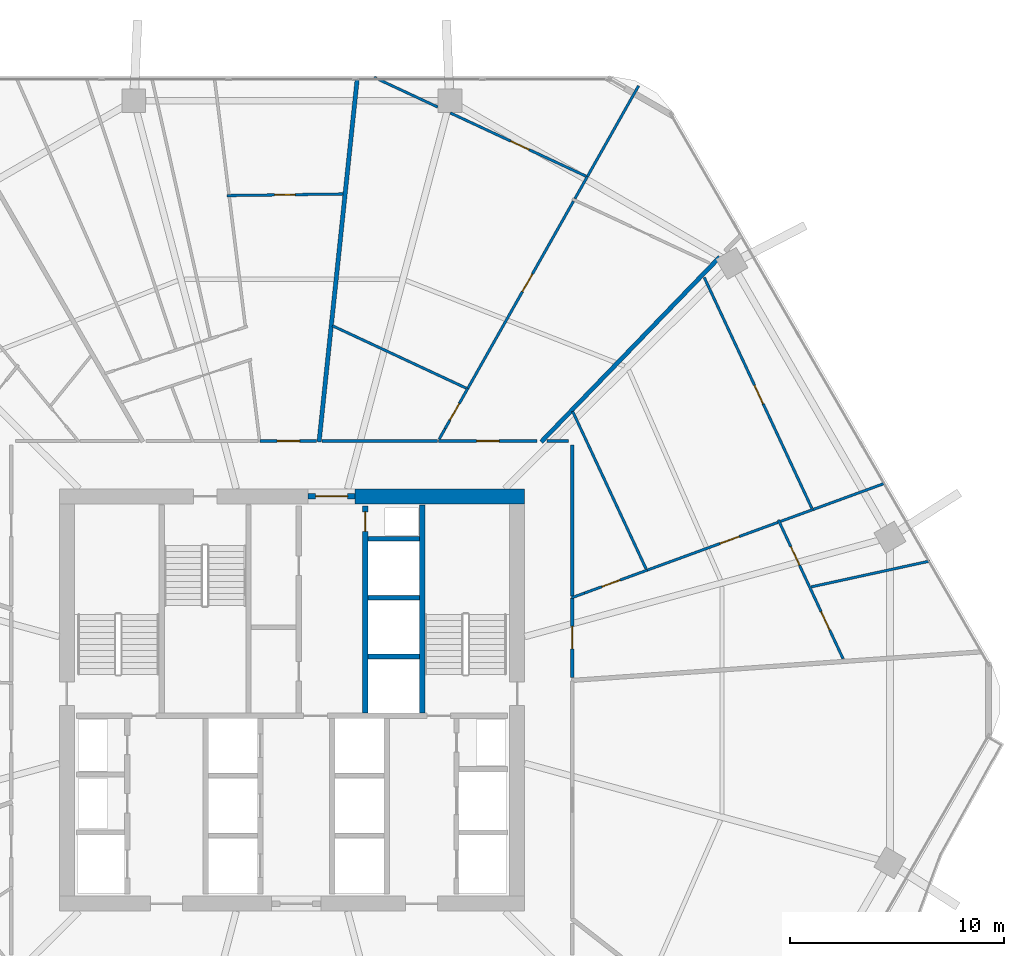
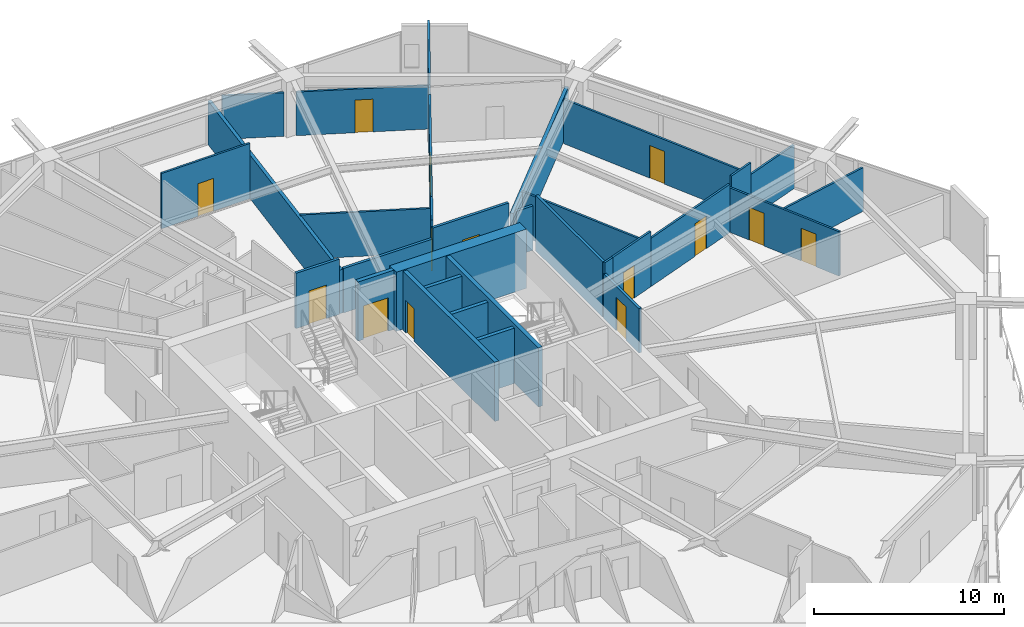
# One storey, part 28 of 33: 33 walls, 14 doors, 14 openings.
"""IFC4 building model written with IfcOpenShell, lengths in metres."""

from ifc_helpers import new_model, si_unit, direction, frame, frame_2d, origin, place, context, subcontext, project, spatial, rectangle, extrude, material, layer, layer_set, type_object, element, fill, save


model = new_model("IFC4")

# Units and contexts
model_context = context("Model", 3, precision=1e-05, world=origin(), true_north=direction((0.0, 1.0)))
body_context = subcontext(model_context, "Body", "Model", "MODEL_VIEW")
ifc_project = project(units=[si_unit("LENGTHUNIT", "METRE"), si_unit("AREAUNIT", "SQUARE_METRE"), si_unit("VOLUMEUNIT", "CUBIC_METRE"), si_unit("PLANEANGLEUNIT", "RADIAN"), si_unit("MASSUNIT", "GRAM", prefix="KILO")], contexts=[model_context])

# Site, building, storey
site_placement = place(None, origin())
site = spatial("IfcSite", under=ifc_project, at=site_placement, CompositionType="ELEMENT")
building_placement = place(site_placement, origin())
building = spatial("IfcBuilding", under=site, at=building_placement, Name="Zuhravey Tower", CompositionType="ELEMENT")
storey_placement = place(building_placement, frame((0.0, 0.0, 96.199951171875)))
storey = spatial("IfcBuildingStorey", under=building, at=storey_placement, Name="L23", CompositionType="ELEMENT", Elevation=96.199951171875)

# Wall
ifc_material_1 = material(Name="Concrete C60/75", Category="concrete")
ifc_layer_1 = layer(ifc_material_1, 0.699951171875)
ifc_layer_set_1 = layer_set([ifc_layer_1], Name="Concrete C60/75")
wall_type_1 = type_object("IfcWallType", Name="Core Shear Wall 700", PredefinedType="SHEAR", material=ifc_layer_set_1)
wall_1_placement = place(storey_placement, frame((46.85009765625, 41.5, 0.0), z_axis=(0.0, 0.0, 1.0), x_axis=(-1.0, 0.0, 0.0)))
element("IfcWall", 1, at=wall_1_placement, inside=storey, type_object=wall_type_1, Name="L23 North-East Core Shear Wall CW70", PredefinedType="SHEAR", context=body_context, shape_type="SweptSolid", body=[
    extrude(rectangle(XDim=7.900146484375, YDim=0.699951171875, at=frame_2d((3.9501953125, 0.0))), origin(), (0.0, 0.0, 1.0), 3.800048828125),
])

# Wall, opening, door
ifc_material_2 = material(Name="Gypsum fire-rated stud partition")
ifc_layer_2 = layer(ifc_material_2, 0.159912109375)
ifc_layer_set_2 = layer_set([ifc_layer_2], Name="Gypsum fire-rated stud partition")
wall_type_2 = type_object("IfcWallType", Name="Corridor Fire Partition 160", PredefinedType="PARTITIONING", material=ifc_layer_set_2)
wall_2_placement = place(storey_placement, frame((49.080078125, 33.049560546875, 0.0), z_axis=(0.0, 0.0, 1.0), x_axis=(0.0, 1.0, 0.0)))
wall_2 = element("IfcWall", 2, at=wall_2_placement, inside=storey, type_object=wall_type_2, Name="L23 IW16 Partition 024", PredefinedType="PARTITIONING", context=body_context, shape_type="SweptSolid", body=[
    extrude(rectangle(XDim=3.71044921875, YDim=0.159912109375, at=frame_2d((1.855224609375, 0.0))), origin(), (0.0, 0.0, 1.0), 2.85009765625),
])
opening_1_placement = place(wall_2_placement, frame((1.330322265625, 0.0, 0.0)))
opening_1 = element("IfcOpeningElement", 3, at=opening_1_placement, cuts=wall_2, Name="Opening APD1", PredefinedType="OPENING", context=body_context, shape_type="SweptSolid", body=[
    extrude(rectangle(XDim=1.050048828125, YDim=2.14990234375, at=frame_2d((0.52490234375, 1.074951171875))), frame((0.0, 0.092041015625, 0.0), z_axis=(0.0, -1.0, 0.0), x_axis=(1.0, 0.0, 0.0)), (0.0, 0.0, 1.0), 0.183837890625),
])
ifc_material_3 = material(Name="Solid-core oak fire-rated leaf")
door_type_1 = type_object("IfcDoorType", Name="Apartment Entrance Fire Door 1050x2150", OperationType="NOTDEFINED", PredefinedType="DOOR", material=ifc_material_3)
door_1_placement = place(opening_1_placement, frame((1.050048828125, 0.0, 0.0), z_axis=(0.0, 0.0, 1.0), x_axis=(-1.0, 0.0, 0.0)))
door_1 = element("IfcDoor", 4, at=door_1_placement, inside=storey, type_object=door_type_1, Name="L23 Door 024.1", OperationType="SINGLE_SWING_LEFT", OverallHeight=2.14990234375, OverallWidth=1.050048828125, PredefinedType="DOOR", context=body_context, shape_type="SweptSolid", body=[
    extrude(rectangle(XDim=1.050048828125, YDim=2.14990234375, at=frame_2d((0.52490234375, 1.074951171875))), frame((0.0, 0.02490234375, 0.0), z_axis=(0.0, -1.0, 0.0), x_axis=(1.0, 0.0, 0.0)), (0.0, 0.0, 1.0), 0.050048828125),
])
fill(opening_1, door_1)

wall_3_placement = place(storey_placement, frame((47.435791015625, 44.080078125, 0.0), z_axis=(0.0, 0.0, 1.0), x_axis=(-1.0, 0.0, 0.0)))
wall_3 = element("IfcWall", 5, at=wall_3_placement, inside=storey, type_object=wall_type_2, Name="L23 IW16 Partition 030", PredefinedType="PARTITIONING", context=body_context, shape_type="SweptSolid", body=[
    extrude(rectangle(XDim=4.594970703125, YDim=0.159912109375, at=frame_2d((2.29736328125, 0.0))), origin(), (0.0, 0.0, 1.0), 3.550048828125),
])
opening_2_placement = place(wall_3_placement, frame((1.7724609375, 0.0, 0.0)))
opening_2 = element("IfcOpeningElement", 6, at=opening_2_placement, cuts=wall_3, Name="Opening APD1", PredefinedType="OPENING", context=body_context, shape_type="SweptSolid", body=[
    extrude(rectangle(XDim=1.050048828125, YDim=2.14990234375, at=frame_2d((0.52490234375, 1.074951171875))), frame((0.0, 0.092041015625, 0.0), z_axis=(0.0, -1.0, 0.0), x_axis=(1.0, 0.0, 0.0)), (0.0, 0.0, 1.0), 0.183837890625),
])
door_2_placement = place(opening_2_placement, frame((1.050048828125, 0.0, 0.0), z_axis=(0.0, 0.0, 1.0), x_axis=(-1.0, 0.0, 0.0)))
door_2 = element("IfcDoor", 7, at=door_2_placement, inside=storey, type_object=door_type_1, Name="L23 Door 030.1", OperationType="SINGLE_SWING_RIGHT", OverallHeight=2.14990234375, OverallWidth=1.050048828125, PredefinedType="DOOR", context=body_context, shape_type="SweptSolid", body=[
    extrude(rectangle(XDim=1.050048828125, YDim=2.14990234375, at=frame_2d((0.52490234375, 1.074951171875))), frame((0.0, 0.02490234375, 0.0), z_axis=(0.0, -1.0, 0.0), x_axis=(1.0, 0.0, 0.0)), (0.0, 0.0, 1.0), 0.050048828125),
])
fill(opening_2, door_2)

wall_4_placement = place(storey_placement, frame((37.14306640625, 44.080078125, 0.0), z_axis=(0.0, 0.0, 1.0), x_axis=(-1.0, 0.0, 0.0)))
wall_4 = element("IfcWall", 8, at=wall_4_placement, inside=storey, type_object=wall_type_2, Name="L23 IW16 Partition 034", PredefinedType="PARTITIONING", context=body_context, shape_type="SweptSolid", body=[
    extrude(rectangle(XDim=2.627685546875, YDim=0.159912109375, at=frame_2d((1.31396484375, 0.0))), origin(), (0.0, 0.0, 1.0), 3.550048828125),
])
opening_3_placement = place(wall_4_placement, frame((0.788818359375, 0.0, 0.0)))
opening_3 = element("IfcOpeningElement", 9, at=opening_3_placement, cuts=wall_4, Name="Opening APD1", PredefinedType="OPENING", context=body_context, shape_type="SweptSolid", body=[
    extrude(rectangle(XDim=1.050048828125, YDim=2.14990234375, at=frame_2d((0.52490234375, 1.074951171875))), frame((0.0, 0.092041015625, 0.0), z_axis=(0.0, -1.0, 0.0), x_axis=(1.0, 0.0, 0.0)), (0.0, 0.0, 1.0), 0.183837890625),
])
door_3_placement = place(opening_3_placement, frame((1.050048828125, 0.0, 0.0), z_axis=(0.0, 0.0, 1.0), x_axis=(-1.0, 0.0, 0.0)))
door_3 = element("IfcDoor", 10, at=door_3_placement, inside=storey, type_object=door_type_1, Name="L23 Door 034.1", OperationType="SINGLE_SWING_RIGHT", OverallHeight=2.14990234375, OverallWidth=1.050048828125, PredefinedType="DOOR", context=body_context, shape_type="SweptSolid", body=[
    extrude(rectangle(XDim=1.050048828125, YDim=2.14990234375, at=frame_2d((0.52490234375, 1.074951171875))), frame((0.0, 0.02490234375, 0.0), z_axis=(0.0, -1.0, 0.0), x_axis=(1.0, 0.0, 0.0)), (0.0, 0.0, 1.0), 0.050048828125),
])
fill(opening_3, door_3)

# Walls
wall_5_placement = place(storey_placement, frame((49.080078125, 36.853759765625, 0.0), z_axis=(0.0, 0.0, 1.0), x_axis=(0.0, 1.0, 0.0)))
element("IfcWall", 11, at=wall_5_placement, inside=storey, type_object=wall_type_2, Name="L23 IW16 Partition 119", PredefinedType="PARTITIONING", context=body_context, shape_type="SweptSolid", body=[
    extrude(rectangle(XDim=7.046142578125, YDim=0.159912109375, at=frame_2d((3.52294921875, 0.0))), origin(), (0.0, 0.0, 1.0), 3.550048828125),
])
wall_6_placement = place(storey_placement, frame((48.89990234375, 44.080078125, 0.0), z_axis=(0.0, 0.0, 1.0), x_axis=(-1.0, 0.0, 0.0)))
element("IfcWall", 12, at=wall_6_placement, inside=storey, type_object=wall_type_2, Name="L23 IW16 Partition 120", PredefinedType="PARTITIONING", context=body_context, shape_type="SweptSolid", body=[
    extrude(rectangle(XDim=1.0009765625, YDim=0.159912109375, at=frame_2d((0.50048828125, 0.0))), origin(), (0.0, 0.0, 1.0), 2.85009765625),
])
wall_7_placement = place(storey_placement, frame((42.794921875, 44.080078125, 0.0), z_axis=(0.0, 0.0, 1.0), x_axis=(-1.0, 0.0, 0.0)))
element("IfcWall", 13, at=wall_7_placement, inside=storey, type_object=wall_type_2, Name="L23 IW16 Partition 121", PredefinedType="PARTITIONING", context=body_context, shape_type="SweptSolid", body=[
    extrude(rectangle(XDim=5.3984375, YDim=0.159912109375, at=frame_2d((2.69921875, 0.0))), origin(), (0.0, 0.0, 1.0), 2.85009765625),
])

# Wall, opening, door
ifc_material_4 = material(Name="Concrete C50/60", Category="concrete")
ifc_layer_3 = layer(ifc_material_4, 0.25)
ifc_layer_set_3 = layer_set([ifc_layer_3], Name="Concrete C50/60")
wall_type_3 = type_object("IfcWallType", Name="Firefighting Shaft & Stair Wall 250", PredefinedType="SOLIDWALL", material=ifc_layer_set_3)
wall_8_placement = place(storey_placement, frame((36.760009765625, 41.5, 0.0), z_axis=(0.0, 0.0, 1.0), x_axis=(1.0, 0.0, 0.0)))
wall_8 = element("IfcWall", 14, at=wall_8_placement, inside=storey, type_object=wall_type_3, Name="L23 FW25 Shaft Wall 002", PredefinedType="SOLIDWALL", context=body_context, shape_type="SweptSolid", body=[
    extrude(rectangle(XDim=2.179931640625, YDim=0.25, at=frame_2d((1.08984375, 0.0))), origin(), (0.0, 0.0, 1.0), 3.800048828125),
])
opening_4_placement = place(wall_8_placement, frame((0.340087890625, 0.0, 0.0)))
opening_4 = element("IfcOpeningElement", 15, at=opening_4_placement, cuts=wall_8, Name="Opening FFD1", PredefinedType="OPENING", context=body_context, shape_type="SweptSolid", body=[
    extrude(rectangle(XDim=1.5, YDim=2.14990234375, at=frame_2d((0.75, 1.074951171875))), frame((0.0, 0.136962890625, 0.0), z_axis=(0.0, -1.0, 0.0), x_axis=(1.0, 0.0, 0.0)), (0.0, 0.0, 1.0), 0.27392578125),
])
ifc_material_5 = material(Name="Galvanised fire-rated steel leaf", Category="steel")
door_type_2 = type_object("IfcDoorType", Name="Firefighting Lobby Double Door 1500x2150", OperationType="DOUBLE_DOOR_SINGLE_SWING", PredefinedType="DOOR", material=ifc_material_5)
door_4_placement = place(opening_4_placement, origin())
door_4 = element("IfcDoor", 16, at=door_4_placement, inside=storey, type_object=door_type_2, Name="L23 North Lift Lobby Exit Door", OperationType="DOUBLE_DOOR_SINGLE_SWING", OverallHeight=2.14990234375, OverallWidth=1.5, PredefinedType="DOOR", context=body_context, shape_type="SweptSolid", body=[
    extrude(rectangle(XDim=1.5, YDim=2.14990234375, at=frame_2d((0.75, 1.074951171875))), frame((0.0, 0.02490234375, 0.0), z_axis=(0.0, -1.0, 0.0), x_axis=(1.0, 0.0, 0.0)), (0.0, 0.0, 1.0), 0.050048828125),
])
fill(opening_4, door_4)

# Wall
wall_9_placement = place(storey_placement, frame((42.074951171875, 31.39990234375, 0.0), z_axis=(0.0, 0.0, 1.0), x_axis=(0.0, 1.0, 0.0)))
element("IfcWall", 17, at=wall_9_placement, inside=storey, type_object=wall_type_3, Name="L23 FW25 Shaft Wall 006", PredefinedType="SOLIDWALL", context=body_context, shape_type="SweptSolid", body=[
    extrude(rectangle(XDim=9.7001953125, YDim=0.25, at=frame_2d((4.85009765625, 0.0))), origin(), (0.0, 0.0, 1.0), 3.800048828125),
])

# Wall, opening, door
wall_10_placement = place(storey_placement, frame((39.425048828125, 31.39990234375, 0.0), z_axis=(0.0, 0.0, 1.0), x_axis=(0.0, 1.0, 0.0)))
wall_10 = element("IfcWall", 18, at=wall_10_placement, inside=storey, type_object=wall_type_3, Name="L23 FW25 Shaft Wall 008", PredefinedType="SOLIDWALL", context=body_context, shape_type="SweptSolid", body=[
    extrude(rectangle(XDim=9.650146484375, YDim=0.25, at=frame_2d((4.8251953125, 0.0))), origin(), (0.0, 0.0, 1.0), 3.800048828125),
])
opening_5_placement = place(wall_10_placement, frame((8.469970703125, 0.0, 0.0)))
opening_5 = element("IfcOpeningElement", 19, at=opening_5_placement, cuts=wall_10, Name="Opening RSD1", PredefinedType="OPENING", context=body_context, shape_type="SweptSolid", body=[
    extrude(rectangle(XDim=0.89990234375, YDim=2.10009765625, at=frame_2d((0.449951171875, 1.050048828125))), frame((0.0, 0.136962890625, 0.0), z_axis=(0.0, -1.0, 0.0), x_axis=(1.0, 0.0, 0.0)), (0.0, 0.0, 1.0), 0.27392578125),
])
ifc_material_6 = material(Name="Galvanised fire-rated steel access leaf", Category="steel")
door_type_3 = type_object("IfcDoorType", Name="Riser & Shaft Access Fire Door 900x2100", OperationType="NOTDEFINED", PredefinedType="DOOR", material=ifc_material_6)
door_5_placement = place(opening_5_placement, origin())
door_5 = element("IfcDoor", 20, at=door_5_placement, inside=storey, type_object=door_type_3, Name="L23 North Riser Door", OperationType="SINGLE_SWING_RIGHT", OverallHeight=2.10009765625, OverallWidth=0.89990234375, PredefinedType="DOOR", context=body_context, shape_type="SweptSolid", body=[
    extrude(rectangle(XDim=0.89990234375, YDim=2.10009765625, at=frame_2d((0.449951171875, 1.050048828125))), frame((0.0, 0.02490234375, 0.0), z_axis=(0.0, -1.0, 0.0), x_axis=(1.0, 0.0, 0.0)), (0.0, 0.0, 1.0), 0.050048828125),
])
fill(opening_5, door_5)

# Walls
ifc_material_7 = material(Name="Gypsum double-stud party assembly")
ifc_layer_4 = layer(ifc_material_7, 0.199951171875)
ifc_layer_set_4 = layer_set([ifc_layer_4], Name="Gypsum double-stud party assembly")
wall_type_4 = type_object("IfcWallType", Name="Inter-Tenancy Party Wall 200", PredefinedType="PARTITIONING", material=ifc_layer_set_4)
wall_11_placement = place(storey_placement, frame((47.626953125, 44.0400390625, 0.0), z_axis=(0.0, 0.0, 1.0), x_axis=(0.694659610847, 0.719338602508, 0.0)))
element("IfcWall", 21, at=wall_11_placement, inside=storey, type_object=wall_type_4, Name="L23 IW20 Partition 075", PredefinedType="PARTITIONING", context=body_context, shape_type="SweptSolid", body=[
    extrude(rectangle(XDim=11.97998046875, YDim=0.199951171875, at=frame_2d((5.989990234375, 0.0))), origin(), (0.0, 0.0, 1.0), 2.800048828125),
])
wall_12_placement = place(storey_placement, frame((37.265380859375, 44.0400390625, 0.0), z_axis=(0.0, 0.0, 1.0), x_axis=(0.104535371824, 0.994521169226, 0.0)))
element("IfcWall", 22, at=wall_12_placement, inside=storey, type_object=wall_type_4, Name="L23 IW20 Partition 081", PredefinedType="PARTITIONING", context=body_context, shape_type="SweptSolid", body=[
    extrude(rectangle(XDim=17.01171875, YDim=0.199951171875, at=frame_2d((8.505859375, 0.0))), origin(), (0.0, 0.0, 1.0), 2.800048828125),
])
ifc_material_8 = material(Name="Gypsum acoustic stud assembly")
ifc_layer_5 = layer(ifc_material_8, 0.219970703125)
ifc_layer_set_5 = layer_set([ifc_layer_5], Name="Gypsum acoustic stud assembly")
wall_type_5 = type_object("IfcWallType", Name="School Acoustic Compartment Wall 220", PredefinedType="PARTITIONING", material=ifc_layer_set_5)
for number, where, z_axis, x_axis, name in (
    (23, (39.55810546875, 34.02490234375, 0.0), (0.0, 0.0, 1.0), (1.0, 0.0, 0.0), "L23 IW22 Partition 063"),
    (24, (39.55810546875, 36.77490234375, 0.0), (0.0, 0.0, 1.0), (1.0, 0.0, 0.0), "L23 IW22 Partition 064"),
    (25, (39.55810546875, 39.52490234375, 0.0), (0.0, 0.0, 1.0), (1.0, 0.0, 0.0), "L23 IW22 Partition 065"),
):
    element("IfcWall", number, at=place(storey_placement, frame(where, z_axis=z_axis, x_axis=x_axis)), inside=storey, type_object=wall_type_5, Name=name, PredefinedType="PARTITIONING", context=body_context, shape_type="SweptSolid", body=[
        extrude(rectangle(XDim=2.3837890625, YDim=0.219970703125, at=frame_2d((1.19189453125, 0.0))), origin(), (0.0, 0.0, 1.0), 3.550048828125),
    ])

# Wall, openings, doors
ifc_material_9 = material(Name="Gypsum metal-stud partition")
ifc_layer_6 = layer(ifc_material_9, 0.1201171875)
ifc_layer_set_6 = layer_set([ifc_layer_6], Name="Gypsum metal-stud partition")
wall_type_6 = type_object("IfcWallType", Name="Unit Internal Partition 120", PredefinedType="PARTITIONING", material=ifc_layer_set_6)
wall_13_placement = place(storey_placement, frame((61.703857421875, 33.922607421875, 0.0), z_axis=(0.0, 0.0, 1.0), x_axis=(-0.42261048954, 0.906311411233, 0.0)))
wall_13 = element("IfcWall", 26, at=wall_13_placement, inside=storey, type_object=wall_type_6, Name="L23 IW12 Partition 019", PredefinedType="PARTITIONING", context=body_context, shape_type="SweptSolid", body=[
    extrude(rectangle(XDim=7.1455078125, YDim=0.1201171875, at=frame_2d((3.57275390625, 0.0))), origin(), (0.0, 0.0, 1.0), 2.85009765625),
])
opening_6_placement = place(wall_13_placement, frame((1.486328125, 0.0, 0.0)))
opening_6 = element("IfcOpeningElement", 27, at=opening_6_placement, cuts=wall_13, Name="Opening IND1", PredefinedType="OPENING", context=body_context, shape_type="SweptSolid", body=[
    extrude(rectangle(XDim=0.949951171875, YDim=2.10009765625, at=frame_2d((0.47509765625, 1.050048828125))), frame((0.0, 0.072021484375, 0.0), z_axis=(0.0, -1.0, 0.0), x_axis=(1.0, 0.0, 0.0)), (0.0, 0.0, 1.0), 0.14404296875),
])
opening_7_placement = place(wall_13_placement, frame((4.81640625, 0.0, 0.0)))
opening_7 = element("IfcOpeningElement", 28, at=opening_7_placement, cuts=wall_13, Name="Opening IND1", PredefinedType="OPENING", context=body_context, shape_type="SweptSolid", body=[
    extrude(rectangle(XDim=0.949951171875, YDim=2.10009765625, at=frame_2d((0.47509765625, 1.050048828125))), frame((0.0, 0.072021484375, 0.0), z_axis=(0.0, -1.0, 0.0), x_axis=(1.0, 0.0, 0.0)), (0.0, 0.0, 1.0), 0.14404296875),
])
ifc_material_10 = material(Name="Painted engineered timber leaf", Category="wood")
door_type_4 = type_object("IfcDoorType", Name="Internal Room & Bedroom Door 950x2100", OperationType="NOTDEFINED", PredefinedType="DOOR", material=ifc_material_10)
door_6_placement = place(opening_6_placement, frame((0.949951171875, 0.0, 0.0), z_axis=(0.0, 0.0, 1.0), x_axis=(-1.0, 0.0, 0.0)))
door_6 = element("IfcDoor", 29, at=door_6_placement, inside=storey, type_object=door_type_4, Name="Apartment L23-01 Family Study Door", OperationType="SINGLE_SWING_RIGHT", OverallHeight=2.10009765625, OverallWidth=0.949951171875, PredefinedType="DOOR", context=body_context, shape_type="SweptSolid", body=[
    extrude(rectangle(XDim=0.949951171875, YDim=2.10009765625, at=frame_2d((0.47509765625, 1.050048828125))), frame((0.0, 0.02490234375, 0.0), z_axis=(0.0, -1.0, 0.0), x_axis=(1.0, 0.0, 0.0)), (0.0, 0.0, 1.0), 0.050048828125),
])
fill(opening_6, door_6)
door_7_placement = place(opening_7_placement, frame((0.949951171875, 0.0, 0.0), z_axis=(0.0, 0.0, 1.0), x_axis=(-1.0, 0.0, 0.0)))
door_7 = element("IfcDoor", 30, at=door_7_placement, inside=storey, type_object=door_type_4, Name="Apartment L23-01 Dining Room Door", OperationType="SINGLE_SWING_LEFT", OverallHeight=2.10009765625, OverallWidth=0.949951171875, PredefinedType="DOOR", context=body_context, shape_type="SweptSolid", body=[
    extrude(rectangle(XDim=0.949951171875, YDim=2.10009765625, at=frame_2d((0.47509765625, 1.050048828125))), frame((0.0, 0.02490234375, 0.0), z_axis=(0.0, -1.0, 0.0), x_axis=(1.0, 0.0, 0.0)), (0.0, 0.0, 1.0), 0.050048828125),
])
fill(opening_7, door_7)

# Wall, opening, door
wall_14_placement = place(storey_placement, frame((49.64990234375, 36.98974609375, 0.0), z_axis=(0.0, 0.0, 1.0), x_axis=(0.93920992581, 0.343343436314, 0.0)))
wall_14 = element("IfcWall", 31, at=wall_14_placement, inside=storey, type_object=wall_type_6, Name="L23 IW12 Partition 020", PredefinedType="PARTITIONING", context=body_context, shape_type="SweptSolid", body=[
    extrude(rectangle(XDim=3.110107421875, YDim=0.1201171875, at=frame_2d((1.55517578125, 0.0))), origin(), (0.0, 0.0, 1.0), 3.550048828125),
])
opening_8_placement = place(wall_14_placement, frame((0.856201171875, 0.0, 0.0)))
opening_8 = element("IfcOpeningElement", 32, at=opening_8_placement, cuts=wall_14, Name="Opening WCD1", PredefinedType="OPENING", context=body_context, shape_type="SweptSolid", body=[
    extrude(rectangle(XDim=0.89990234375, YDim=2.10009765625, at=frame_2d((0.449951171875, 1.050048828125))), frame((0.0, 0.072021484375, 0.0), z_axis=(0.0, -1.0, 0.0), x_axis=(1.0, 0.0, 0.0)), (0.0, 0.0, 1.0), 0.14404296875),
])
ifc_material_11 = material(Name="Moisture-resistant timber leaf", Category="wood")
door_type_5 = type_object("IfcDoorType", Name="Bathroom & WC Internal Door 900x2100", OperationType="NOTDEFINED", PredefinedType="DOOR", material=ifc_material_11)
door_8_placement = place(opening_8_placement, origin())
door_8 = element("IfcDoor", 33, at=door_8_placement, inside=storey, type_object=door_type_5, Name="Apartment L23-01 Bathroom Door", OperationType="SINGLE_SWING_RIGHT", OverallHeight=2.10009765625, OverallWidth=0.89990234375, PredefinedType="DOOR", context=body_context, shape_type="SweptSolid", body=[
    extrude(rectangle(XDim=0.89990234375, YDim=2.10009765625, at=frame_2d((0.449951171875, 1.050048828125))), frame((0.0, 0.02490234375, 0.0), z_axis=(0.0, -1.0, 0.0), x_axis=(1.0, 0.0, 0.0)), (0.0, 0.0, 1.0), 0.050048828125),
])
fill(opening_8, door_8)

wall_15_placement = place(storey_placement, frame((52.571044921875, 38.0576171875, 0.0), z_axis=(0.0, 0.0, 1.0), x_axis=(0.93922057819, 0.343314295515, 0.0)))
wall_15 = element("IfcWall", 34, at=wall_15_placement, inside=storey, type_object=wall_type_6, Name="L23 IW12 Partition 021", PredefinedType="PARTITIONING", context=body_context, shape_type="SweptSolid", body=[
    extrude(rectangle(XDim=6.485595703125, YDim=0.1201171875, at=frame_2d((3.24267578125, 0.0))), origin(), (0.0, 0.0, 1.0), 3.10009765625),
])
opening_9_placement = place(wall_15_placement, frame((3.61572265625, 0.0, 0.0)))
opening_9 = element("IfcOpeningElement", 35, at=opening_9_placement, cuts=wall_15, Name="Opening IND1", PredefinedType="OPENING", context=body_context, shape_type="SweptSolid", body=[
    extrude(rectangle(XDim=0.949951171875, YDim=2.10009765625, at=frame_2d((0.47509765625, 1.050048828125))), frame((0.0, 0.072021484375, 0.0), z_axis=(0.0, -1.0, 0.0), x_axis=(1.0, 0.0, 0.0)), (0.0, 0.0, 1.0), 0.14404296875),
])
door_9_placement = place(opening_9_placement, origin())
door_9 = element("IfcDoor", 36, at=door_9_placement, inside=storey, type_object=door_type_4, Name="Apartment L23-01 Home Office Door", OperationType="SINGLE_SWING_LEFT", OverallHeight=2.10009765625, OverallWidth=0.949951171875, PredefinedType="DOOR", context=body_context, shape_type="SweptSolid", body=[
    extrude(rectangle(XDim=0.949951171875, YDim=2.10009765625, at=frame_2d((0.47509765625, 1.050048828125))), frame((0.0, 0.02490234375, 0.0), z_axis=(0.0, -1.0, 0.0), x_axis=(1.0, 0.0, 0.0)), (0.0, 0.0, 1.0), 0.050048828125),
])
fill(opening_9, door_9)

# Wall
wall_16_placement = place(storey_placement, frame((58.79052734375, 40.3310546875, 0.0), z_axis=(0.0, 0.0, 1.0), x_axis=(0.93917179076, 0.343447736114, 0.0)))
element("IfcWall", 37, at=wall_16_placement, inside=storey, type_object=wall_type_6, Name="L23 IW12 Partition 022", PredefinedType="PARTITIONING", context=body_context, shape_type="SweptSolid", body=[
    extrude(rectangle(XDim=1.609375, YDim=0.1201171875, at=frame_2d((0.8046875, 0.0))), origin(), (0.0, 0.0, 1.0), 3.550048828125),
])

# Wall, opening, door
wall_17_placement = place(storey_placement, frame((60.249755859375, 40.93701171875, 0.0), z_axis=(0.0, 0.0, 1.0), x_axis=(-0.42261779654, 0.906308003963, 0.0)))
wall_17 = element("IfcWall", 38, at=wall_17_placement, inside=storey, type_object=wall_type_6, Name="L23 IW12 Partition 023", PredefinedType="PARTITIONING", context=body_context, shape_type="SweptSolid", body=[
    extrude(rectangle(XDim=11.884765625, YDim=0.1201171875, at=frame_2d((5.9423828125, 0.0))), origin(), (0.0, 0.0, 1.0), 2.85009765625),
])
opening_10_placement = place(wall_17_placement, frame((5.383056640625, 0.0, 0.0)))
opening_10 = element("IfcOpeningElement", 39, at=opening_10_placement, cuts=wall_17, Name="Opening IND1", PredefinedType="OPENING", context=body_context, shape_type="SweptSolid", body=[
    extrude(rectangle(XDim=0.949951171875, YDim=2.10009765625, at=frame_2d((0.47509765625, 1.050048828125))), frame((0.0, 0.072021484375, 0.0), z_axis=(0.0, -1.0, 0.0), x_axis=(1.0, 0.0, 0.0)), (0.0, 0.0, 1.0), 0.14404296875),
])
door_10_placement = place(opening_10_placement, frame((0.949951171875, 0.0, 0.0), z_axis=(0.0, 0.0, 1.0), x_axis=(-1.0, 0.0, 0.0)))
door_10 = element("IfcDoor", 40, at=door_10_placement, inside=storey, type_object=door_type_4, Name="Apartment L23-01 Bedroom 1 Door", OperationType="SINGLE_SWING_RIGHT", OverallHeight=2.10009765625, OverallWidth=0.949951171875, PredefinedType="DOOR", context=body_context, shape_type="SweptSolid", body=[
    extrude(rectangle(XDim=0.949951171875, YDim=2.10009765625, at=frame_2d((0.47509765625, 1.050048828125))), frame((0.0, 0.02490234375, 0.0), z_axis=(0.0, -1.0, 0.0), x_axis=(1.0, 0.0, 0.0)), (0.0, 0.0, 1.0), 0.050048828125),
])
fill(opening_10, door_10)

wall_18_placement = place(storey_placement, frame((43.139404296875, 44.64990234375, 0.0), z_axis=(0.0, 0.0, 1.0), x_axis=(0.491544748093, 0.870852318492, 0.0)))
wall_18 = element("IfcWall", 41, at=wall_18_placement, inside=storey, type_object=wall_type_6, Name="L23 IW12 Partition 026", PredefinedType="PARTITIONING", context=body_context, shape_type="SweptSolid", body=[
    extrude(rectangle(XDim=2.16650390625, YDim=0.1201171875, at=frame_2d((1.083251953125, 0.0))), origin(), (0.0, 0.0, 1.0), 3.550048828125),
])
opening_11_placement = place(wall_18_placement, frame((0.459716796875, 0.0, 0.0)))
opening_11 = element("IfcOpeningElement", 42, at=opening_11_placement, cuts=wall_18, Name="Opening WCD1", PredefinedType="OPENING", context=body_context, shape_type="SweptSolid", body=[
    extrude(rectangle(XDim=0.89990234375, YDim=2.10009765625, at=frame_2d((0.449951171875, 1.050048828125))), frame((0.0, 0.072021484375, 0.0), z_axis=(0.0, -1.0, 0.0), x_axis=(1.0, 0.0, 0.0)), (0.0, 0.0, 1.0), 0.14404296875),
])
door_11_placement = place(opening_11_placement, origin())
door_11 = element("IfcDoor", 43, at=door_11_placement, inside=storey, type_object=door_type_5, Name="Apartment L23-02 Bathroom Door", OperationType="SINGLE_SWING_LEFT", OverallHeight=2.10009765625, OverallWidth=0.89990234375, PredefinedType="DOOR", context=body_context, shape_type="SweptSolid", body=[
    extrude(rectangle(XDim=0.89990234375, YDim=2.10009765625, at=frame_2d((0.449951171875, 1.050048828125))), frame((0.0, 0.02490234375, 0.0), z_axis=(0.0, -1.0, 0.0), x_axis=(1.0, 0.0, 0.0)), (0.0, 0.0, 1.0), 0.050048828125),
])
fill(opening_11, door_11)

wall_19_placement = place(storey_placement, frame((44.204345703125, 46.53662109375, 0.0), z_axis=(0.0, 0.0, 1.0), x_axis=(0.491507930141, 0.870873099027, 0.0)))
wall_19 = element("IfcWall", 44, at=wall_19_placement, inside=storey, type_object=wall_type_6, Name="L23 IW12 Partition 027", PredefinedType="PARTITIONING", context=body_context, shape_type="SweptSolid", body=[
    extrude(rectangle(XDim=10.018798828125, YDim=0.1201171875, at=frame_2d((5.00927734375, 0.0))), origin(), (0.0, 0.0, 1.0), 3.10009765625),
])
opening_12_placement = place(wall_19_placement, frame((5.17626953125, 0.0, 0.0)))
opening_12 = element("IfcOpeningElement", 45, at=opening_12_placement, cuts=wall_19, Name="Opening IND1", PredefinedType="OPENING", context=body_context, shape_type="SweptSolid", body=[
    extrude(rectangle(XDim=0.949951171875, YDim=2.10009765625, at=frame_2d((0.47509765625, 1.050048828125))), frame((0.0, 0.072021484375, 0.0), z_axis=(0.0, -1.0, 0.0), x_axis=(1.0, 0.0, 0.0)), (0.0, 0.0, 1.0), 0.14404296875),
])
door_12_placement = place(opening_12_placement, origin())
door_12 = element("IfcDoor", 46, at=door_12_placement, inside=storey, type_object=door_type_4, Name="Apartment L23-02 Home Office Door", OperationType="SINGLE_SWING_RIGHT", OverallHeight=2.10009765625, OverallWidth=0.949951171875, PredefinedType="DOOR", context=body_context, shape_type="SweptSolid", body=[
    extrude(rectangle(XDim=0.949951171875, YDim=2.10009765625, at=frame_2d((0.47509765625, 1.050048828125))), frame((0.0, 0.02490234375, 0.0), z_axis=(0.0, -1.0, 0.0), x_axis=(1.0, 0.0, 0.0)), (0.0, 0.0, 1.0), 0.050048828125),
])
fill(opening_12, door_12)

# Wall
wall_20_placement = place(storey_placement, frame((49.19580078125, 55.38037109375, 0.0), z_axis=(0.0, 0.0, 1.0), x_axis=(0.491432242221, 0.870915811836, 0.0)))
element("IfcWall", 47, at=wall_20_placement, inside=storey, type_object=wall_type_6, Name="L23 IW12 Partition 028", PredefinedType="PARTITIONING", context=body_context, shape_type="SweptSolid", body=[
    extrude(rectangle(XDim=1.197265625, YDim=0.1201171875, at=frame_2d((0.5986328125, 0.0))), origin(), (0.0, 0.0, 1.0), 2.800048828125),
])

# Wall, opening, door
wall_21_placement = place(storey_placement, frame((49.710205078125, 56.430419921875, 0.0), z_axis=(0.0, 0.0, 1.0), x_axis=(-0.906320781417, 0.422590394084, 0.0)))
wall_21 = element("IfcWall", 48, at=wall_21_placement, inside=storey, type_object=wall_type_6, Name="L23 IW12 Partition 029", PredefinedType="PARTITIONING", context=body_context, shape_type="SweptSolid", body=[
    extrude(rectangle(XDim=6.97607421875, YDim=0.1201171875, at=frame_2d((3.488037109375, 0.0))), origin(), (0.0, 0.0, 1.0), 2.800048828125),
])
opening_13_placement = place(wall_21_placement, frame((2.9287109375, 0.0, 0.0)))
opening_13 = element("IfcOpeningElement", 49, at=opening_13_placement, cuts=wall_21, Name="Opening IND1", PredefinedType="OPENING", context=body_context, shape_type="SweptSolid", body=[
    extrude(rectangle(XDim=0.949951171875, YDim=2.10009765625, at=frame_2d((0.47509765625, 1.050048828125))), frame((0.0, 0.072021484375, 0.0), z_axis=(0.0, -1.0, 0.0), x_axis=(1.0, 0.0, 0.0)), (0.0, 0.0, 1.0), 0.14404296875),
])
door_13_placement = place(opening_13_placement, frame((0.949951171875, 0.0, 0.0), z_axis=(0.0, 0.0, 1.0), x_axis=(-1.0, 0.0, 0.0)))
door_13 = element("IfcDoor", 50, at=door_13_placement, inside=storey, type_object=door_type_4, Name="Apartment L23-02 Bedroom 1 Door", OperationType="SINGLE_SWING_LEFT", OverallHeight=2.10009765625, OverallWidth=0.949951171875, PredefinedType="DOOR", context=body_context, shape_type="SweptSolid", body=[
    extrude(rectangle(XDim=0.949951171875, YDim=2.10009765625, at=frame_2d((0.47509765625, 1.050048828125))), frame((0.0, 0.02490234375, 0.0), z_axis=(0.0, -1.0, 0.0), x_axis=(1.0, 0.0, 0.0)), (0.0, 0.0, 1.0), 0.050048828125),
])
fill(opening_13, door_13)

wall_22_placement = place(storey_placement, frame((38.372802734375, 55.599609375, 0.0), z_axis=(0.0, 0.0, 1.0), x_axis=(-0.999902567538, -0.01395906268, 0.0)))
wall_22 = element("IfcWall", 51, at=wall_22_placement, inside=storey, type_object=wall_type_6, Name="L23 IW12 Partition 031", PredefinedType="PARTITIONING", context=body_context, shape_type="SweptSolid", body=[
    extrude(rectangle(XDim=5.404296875, YDim=0.1201171875, at=frame_2d((2.7021484375, 0.0))), origin(), (0.0, 0.0, 1.0), 3.550048828125),
])
opening_14_placement = place(wall_22_placement, frame((2.22705078125, 0.0, 0.0)))
opening_14 = element("IfcOpeningElement", 52, at=opening_14_placement, cuts=wall_22, Name="Opening IND1", PredefinedType="OPENING", context=body_context, shape_type="SweptSolid", body=[
    extrude(rectangle(XDim=0.949951171875, YDim=2.10009765625, at=frame_2d((0.47509765625, 1.050048828125))), frame((0.0, 0.072021484375, 0.0), z_axis=(0.0, -1.0, 0.0), x_axis=(1.0, 0.0, 0.0)), (0.0, 0.0, 1.0), 0.14404296875),
])
door_14_placement = place(opening_14_placement, frame((0.949951171875, 0.0, 0.0), z_axis=(0.0, 0.0, 1.0), x_axis=(-1.0, 0.0, 0.0)))
door_14 = element("IfcDoor", 53, at=door_14_placement, inside=storey, type_object=door_type_4, Name="Apartment L23-03 Family Study Door", OperationType="SINGLE_SWING_LEFT", OverallHeight=2.10009765625, OverallWidth=0.949951171875, PredefinedType="DOOR", context=body_context, shape_type="SweptSolid", body=[
    extrude(rectangle(XDim=0.949951171875, YDim=2.10009765625, at=frame_2d((0.47509765625, 1.050048828125))), frame((0.0, 0.02490234375, 0.0), z_axis=(0.0, -1.0, 0.0), x_axis=(1.0, 0.0, 0.0)), (0.0, 0.0, 1.0), 0.050048828125),
])
fill(opening_14, door_14)

# Walls
wall_23_placement = place(storey_placement, frame((60.21533203125, 37.275390625, 0.0), z_axis=(0.0, 0.0, 1.0), x_axis=(0.977079889422, 0.212872942592, 0.0)))
element("IfcWall", 54, at=wall_23_placement, inside=storey, type_object=wall_type_6, Name="L23 IW12 Partition 071", PredefinedType="PARTITIONING", context=body_context, shape_type="SweptSolid", body=[
    extrude(rectangle(XDim=5.647216796875, YDim=0.1201171875, at=frame_2d((2.82373046875, 0.0))), origin(), (0.0, 0.0, 1.0), 2.800048828125),
])
wall_24_placement = place(storey_placement, frame((49.03662109375, 36.765380859375, 0.0), z_axis=(0.0, 0.0, 1.0), x_axis=(0.939125794288, 0.343573489232, 0.0)))
element("IfcWall", 55, at=wall_24_placement, inside=storey, type_object=wall_type_6, Name="L23 IW12 Partition 072", PredefinedType="PARTITIONING", context=body_context, shape_type="SweptSolid", body=[
    extrude(rectangle(XDim=0.653076171875, YDim=0.1201171875, at=frame_2d((0.32666015625, 0.0))), origin(), (0.0, 0.0, 1.0), 3.550048828125),
])
wall_25_placement = place(storey_placement, frame((60.302001953125, 40.8837890625, 0.0), z_axis=(0.0, 0.0, 1.0), x_axis=(0.939220300938, 0.343315054005, 0.0)))
element("IfcWall", 56, at=wall_25_placement, inside=storey, type_object=wall_type_6, Name="L23 IW12 Partition 073", PredefinedType="PARTITIONING", context=body_context, shape_type="SweptSolid", body=[
    extrude(rectangle(XDim=3.52783203125, YDim=0.1201171875, at=frame_2d((1.763916015625, 0.0))), origin(), (0.0, 0.0, 1.0), 2.800048828125),
])
wall_26_placement = place(storey_placement, frame((52.518798828125, 38.11083984375, 0.0), z_axis=(0.0, 0.0, 1.0), x_axis=(-0.422610316209, 0.906311492057, 0.0)))
element("IfcWall", 57, at=wall_26_placement, inside=storey, type_object=wall_type_6, Name="L23 IW12 Partition 074", PredefinedType="PARTITIONING", context=body_context, shape_type="SweptSolid", body=[
    extrude(rectangle(XDim=8.112548828125, YDim=0.1201171875, at=frame_2d((4.05615234375, 0.0))), origin(), (0.0, 0.0, 1.0), 2.85009765625),
])
wall_27_placement = place(storey_placement, frame((42.867431640625, 44.16796875, 0.0), z_axis=(0.0, 0.0, 1.0), x_axis=(0.491475647569, 0.870891318045, 0.0)))
element("IfcWall", 58, at=wall_27_placement, inside=storey, type_object=wall_type_6, Name="L23 IW12 Partition 077", PredefinedType="PARTITIONING", context=body_context, shape_type="SweptSolid", body=[
    extrude(rectangle(XDim=0.553466796875, YDim=0.1201171875, at=frame_2d((0.27685546875, 0.0))), origin(), (0.0, 0.0, 1.0), 3.550048828125),
])
wall_28_placement = place(storey_placement, frame((49.7841796875, 56.423095703125, 0.0), z_axis=(0.0, 0.0, 1.0), x_axis=(0.491502522911, 0.870876150766, 0.0)))
element("IfcWall", 59, at=wall_28_placement, inside=storey, type_object=wall_type_6, Name="L23 IW12 Partition 078", PredefinedType="PARTITIONING", context=body_context, shape_type="SweptSolid", body=[
    extrude(rectangle(XDim=4.844482421875, YDim=0.1201171875, at=frame_2d((2.42236328125, 0.0))), origin(), (0.0, 0.0, 1.0), 3.550048828125),
])
wall_29_placement = place(storey_placement, frame((44.130126953125, 46.54345703125, 0.0), z_axis=(0.0, 0.0, 1.0), x_axis=(-0.90630173442, 0.422631241376, 0.0)))
element("IfcWall", 60, at=wall_29_placement, inside=storey, type_object=wall_type_6, Name="L23 IW12 Partition 079", PredefinedType="PARTITIONING", context=body_context, shape_type="SweptSolid", body=[
    extrude(rectangle(XDim=6.887451171875, YDim=0.1201171875, at=frame_2d((3.44384765625, 0.0))), origin(), (0.0, 0.0, 1.0), 2.85009765625),
])
wall_30_placement = place(storey_placement, frame((42.800048828125, 59.652587890625, 0.0), z_axis=(0.0, 0.0, 1.0), x_axis=(-0.906316219076, 0.422600178702, 0.0)))
element("IfcWall", 61, at=wall_30_placement, inside=storey, type_object=wall_type_6, Name="L23 IW12 Partition 080", PredefinedType="PARTITIONING", context=body_context, shape_type="SweptSolid", body=[
    extrude(rectangle(XDim=3.27978515625, YDim=0.1201171875, at=frame_2d((1.639892578125, 0.0))), origin(), (0.0, 0.0, 1.0), 2.800048828125),
])

save(model, "model.ifc")
